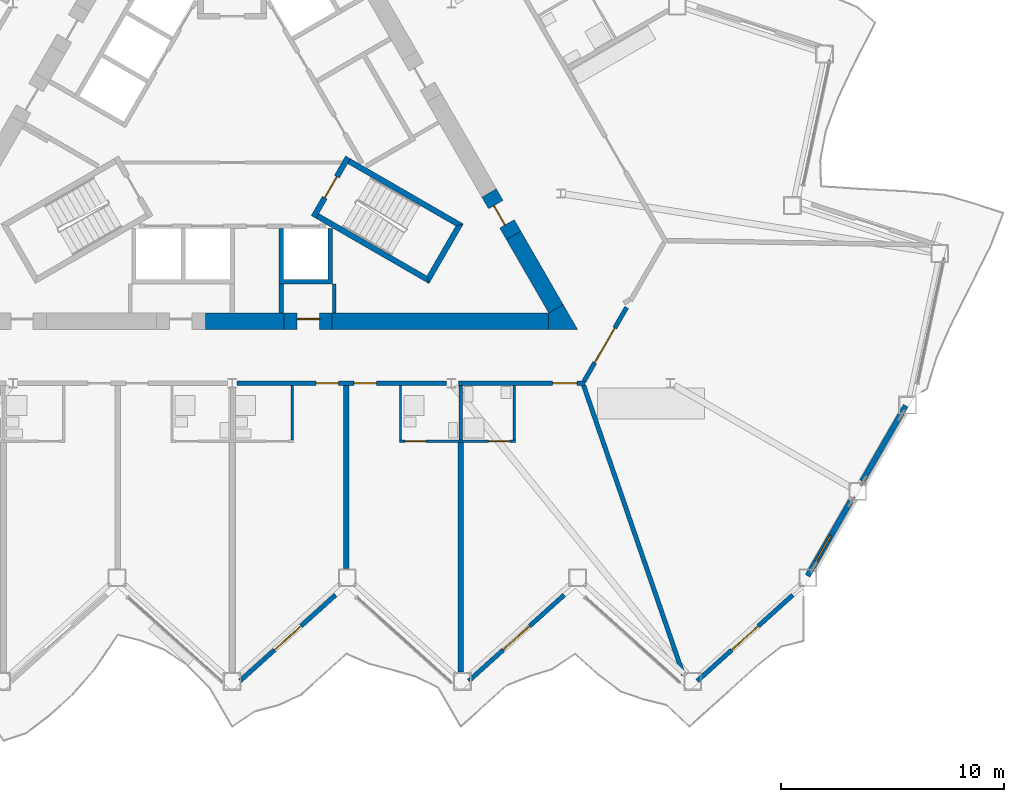
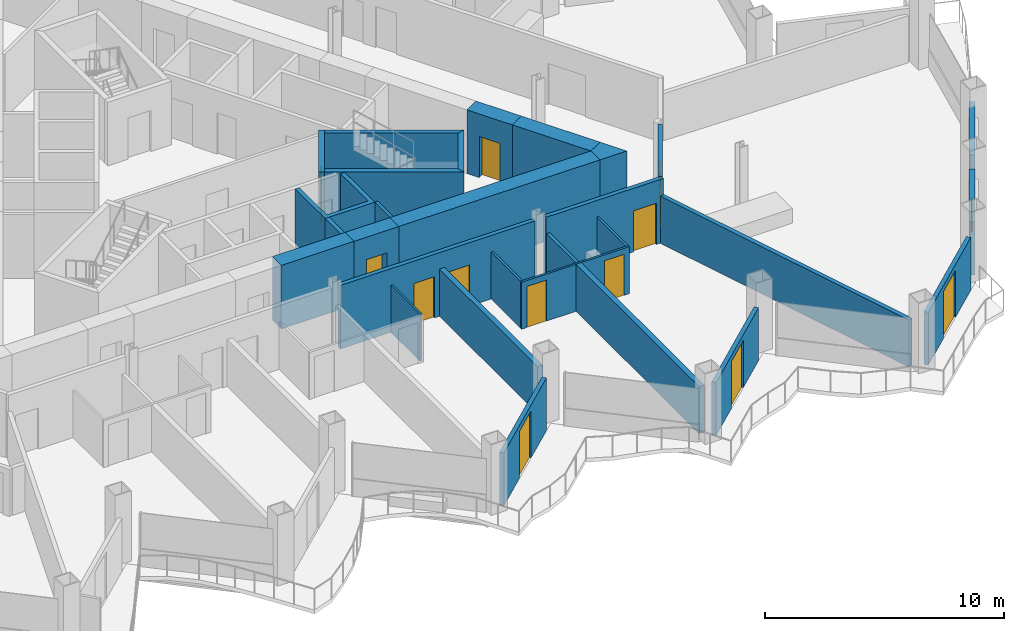
# One storey, part 12 of 23: 29 walls, 12 doors, 1 window, 13 openings.
"""IFC4 building model written with IfcOpenShell, lengths in metres."""

from ifc_helpers import new_model, si_unit, direction, frame, frame_2d, origin, place, context, subcontext, project, spatial, polyline, rectangle, outline, extrude, material, layer, layer_set, type_object, element, fill, save


model = new_model("IFC4")

# Units and contexts
model_context = context("Model", 3, precision=1e-05, world=origin(), true_north=direction((0.0, 1.0)))
body_context = subcontext(model_context, "Body", "Model", "MODEL_VIEW")
ifc_project = project(units=[si_unit("LENGTHUNIT", "METRE"), si_unit("AREAUNIT", "SQUARE_METRE"), si_unit("VOLUMEUNIT", "CUBIC_METRE"), si_unit("PLANEANGLEUNIT", "RADIAN"), si_unit("MASSUNIT", "GRAM", prefix="KILO")], contexts=[model_context])

# Site, building, storey
site_placement = place(None, origin())
site = spatial("IfcSite", under=ifc_project, at=site_placement, CompositionType="ELEMENT")
building_placement = place(site_placement, origin())
building = spatial("IfcBuilding", under=site, at=building_placement, Name="Cormorant Prow Tower", CompositionType="ELEMENT")
storey_placement = place(building_placement, frame((0.0, 0.0, 187.199951171875)))
storey = spatial("IfcBuildingStorey", under=building, at=storey_placement, Name="L40", CompositionType="ELEMENT", Elevation=187.199951171875)

# Walls
ifc_material_1 = material(Name="Gypsum board partition")
ifc_layer_1 = layer(ifc_material_1, 0.14990234375)
ifc_layer_set_1 = layer_set([ifc_layer_1], Name="Gypsum board partition")
wall_type_1 = type_object("IfcWallType", Name="Core partition 150", PredefinedType="PARTITIONING", material=ifc_layer_set_1)
wall_1_placement = place(storey_placement, frame((4.574951171875, -6.906005859375, 0.0), z_axis=(0.0, 0.0, 1.0), x_axis=(0.0, -1.0, 0.0)))
element("IfcWall", 1, at=wall_1_placement, inside=storey, type_object=wall_type_1, Name="Service room partition", PredefinedType="PARTITIONING", context=body_context, shape_type="SweptSolid", body=[
    extrude(rectangle(XDim=1.29296875, YDim=0.14990234375, at=frame_2d((0.646484375, 0.0))), origin(), (0.0, 0.0, 1.0), 3.25),
])
ifc_material_2 = material(Name="Concrete 8000 psi", Category="concrete")
ifc_layer_2 = layer(ifc_material_2, 0.75)
ifc_layer_set_2 = layer_set([ifc_layer_2], Name="Concrete 8000 psi")
wall_type_2 = type_object("IfcWallType", Name="Core shear wall 750", PredefinedType="SHEAR", material=ifc_layer_set_2)
wall_2_placement = place(storey_placement, frame((4.47998046875, -8.573974609375, 0.0), z_axis=(0.0, 0.0, 1.0), x_axis=(1.0, 0.0, 0.0)))
element("IfcWall", 2, at=wall_2_placement, inside=storey, type_object=wall_type_2, Name="Core wall", PredefinedType="SHEAR", context=body_context, shape_type="SweptSolid", body=[
    extrude(rectangle(XDim=9.720947265625, YDim=0.75, at=frame_2d((4.8603515625, 0.0))), origin(), (0.0, 0.0, 1.0), 3.25),
])
wall_3_placement = place(storey_placement, frame((-1.199951171875, -8.573974609375, 0.0), z_axis=(0.0, 0.0, 1.0), x_axis=(1.0, 0.0, 0.0)))
element("IfcWall", 3, at=wall_3_placement, inside=storey, type_object=wall_type_2, Name="Core wall", PredefinedType="SHEAR", context=body_context, shape_type="SweptSolid", body=[
    extrude(rectangle(XDim=3.52001953125, YDim=0.75, at=frame_2d((1.760009765625, 0.0))), origin(), (0.0, 0.0, 1.0), 3.25),
])
wall_4_placement = place(storey_placement, frame((14.525634765625, -8.011474609375, 0.0), z_axis=(0.0, 0.0, 1.0), x_axis=(-0.499996970966, 0.866027152591, 0.0)))
element("IfcWall", 4, at=wall_4_placement, inside=storey, type_object=wall_type_2, Name="Core wall", PredefinedType="SHEAR", context=body_context, shape_type="SweptSolid", body=[
    extrude(rectangle(XDim=3.7978515625, YDim=0.75, at=frame_2d((1.89892578125, 0.0))), origin(), (0.0, 0.0, 1.0), 3.25),
])
wall_5_placement = place(storey_placement, origin())
element("IfcWall", 5, at=wall_5_placement, inside=storey, type_object=wall_type_2, Name="Core wall corner", PredefinedType="SHEAR", context=body_context, shape_type="SweptSolid", body=[
    extrude(outline(polyline([(14.200927734375, -8.948974609375), (14.200927734375, -8.198974609375), (14.8505859375, -7.823974609375), (15.5, -8.948974609375), (14.200927734375, -8.948974609375)])), origin(), (0.0, 0.0, 1.0), 3.25),
])

# Wall, opening, door
wall_6_placement = place(storey_placement, frame((2.320068359375, -8.573974609375, 0.0), z_axis=(0.0, 0.0, 1.0), x_axis=(1.0, 0.0, 0.0)))
wall_6 = element("IfcWall", 6, at=wall_6_placement, inside=storey, type_object=wall_type_2, Name="Core wall door panel", PredefinedType="SHEAR", context=body_context, shape_type="SweptSolid", body=[
    extrude(rectangle(XDim=2.159912109375, YDim=0.75, at=frame_2d((1.080078125, 0.0))), origin(), (0.0, 0.0, 1.0), 3.25),
])
opening_1_placement = place(wall_6_placement, frame((0.60009765625, 0.0, 0.0)))
opening_1 = element("IfcOpeningElement", 7, at=opening_1_placement, cuts=wall_6, Name="Opening L40-C15", PredefinedType="OPENING", context=body_context, shape_type="SweptSolid", body=[
    extrude(rectangle(XDim=1.0, YDim=2.10009765625, at=frame_2d((0.5, 1.050048828125))), frame((0.0, 0.385009765625, 0.0), z_axis=(0.0, -1.0, 0.0), x_axis=(1.0, 0.0, 0.0)), (0.0, 0.0, 1.0), 0.77001953125),
])
ifc_material_3 = material(Name="Painted steel", Category="steel")
door_type_1 = type_object("IfcDoorType", Name="Service door 1000x2100", OperationType="NOTDEFINED", PredefinedType="DOOR", material=ifc_material_3)
door_1_placement = place(opening_1_placement, origin())
door_1 = element("IfcDoor", 8, at=door_1_placement, inside=storey, type_object=door_type_1, Name="Core door, Electrical room", OperationType="SINGLE_SWING_RIGHT", OverallHeight=2.10009765625, OverallWidth=1.0, PredefinedType="DOOR", context=body_context, shape_type="SweptSolid", body=[
    extrude(rectangle(XDim=1.0, YDim=2.10009765625, at=frame_2d((0.5, 1.050048828125))), frame((0.0, 0.1298828125, 0.0), z_axis=(0.0, -1.0, 0.0), x_axis=(1.0, 0.0, 0.0)), (0.0, 0.0, 1.0), 0.050048828125),
])
fill(opening_1, door_1)

wall_7_placement = place(storey_placement, frame((12.626708984375, -4.722412109375, 0.0), z_axis=(0.0, 0.0, 1.0), x_axis=(-0.499946605688, 0.86605622881, 0.0)))
wall_7 = element("IfcWall", 9, at=wall_7_placement, inside=storey, type_object=wall_type_2, Name="Core wall door panel", PredefinedType="SHEAR", context=body_context, shape_type="SweptSolid", body=[
    extrude(rectangle(XDim=2.199951171875, YDim=0.75, at=frame_2d((1.10009765625, 0.0))), origin(), (0.0, 0.0, 1.0), 3.25),
])
opening_2_placement = place(wall_7_placement, frame((0.60009765625, 0.0, 0.0)))
opening_2 = element("IfcOpeningElement", 10, at=opening_2_placement, cuts=wall_7, Name="Opening L40-C17", PredefinedType="OPENING", context=body_context, shape_type="SweptSolid", body=[
    extrude(rectangle(XDim=1.0, YDim=2.10009765625, at=frame_2d((0.5, 1.050048828125))), frame((0.0, 0.385009765625, 0.0), z_axis=(0.0, -1.0, 0.0), x_axis=(1.0, 0.0, 0.0)), (0.0, 0.0, 1.0), 0.77001953125),
])
door_2_placement = place(opening_2_placement, origin())
door_2 = element("IfcDoor", 11, at=door_2_placement, inside=storey, type_object=door_type_1, Name="Core door, Refuse store", OperationType="SINGLE_SWING_RIGHT", OverallHeight=2.10009765625, OverallWidth=1.0, PredefinedType="DOOR", context=body_context, shape_type="SweptSolid", body=[
    extrude(rectangle(XDim=1.0, YDim=2.10009765625, at=frame_2d((0.5, 1.050048828125))), frame((0.0, 0.1298828125, 0.0), z_axis=(0.0, -1.0, 0.0), x_axis=(1.0, 0.0, 0.0)), (0.0, 0.0, 1.0), 0.050048828125),
])
fill(opening_2, door_2)

# Wall, openings, doors
ifc_material_4 = material(Name="Gypsum board corridor wall")
ifc_layer_3 = layer(ifc_material_4, 0.199951171875)
ifc_layer_set_3 = layer_set([ifc_layer_3], Name="Gypsum board corridor wall")
wall_type_3 = type_object("IfcWallType", Name="Corridor wall 200", PredefinedType="PARTITIONING", material=ifc_layer_set_3)
wall_8_placement = place(storey_placement, frame((0.213623046875, -11.348876953125, 0.0), z_axis=(0.0, 0.0, 1.0), x_axis=(1.0, 0.0, 0.0)))
wall_8 = element("IfcWall", 12, at=wall_8_placement, inside=storey, type_object=wall_type_3, Name="Corridor wall", PredefinedType="PARTITIONING", context=body_context, shape_type="SweptSolid", body=[
    extrude(rectangle(XDim=9.401123046875, YDim=0.199951171875, at=frame_2d((4.70068359375, 0.0))), origin(), (0.0, 0.0, 1.0), 3.25),
])
opening_3_placement = place(wall_8_placement, frame((3.550537109375, 0.0, 0.0)))
opening_3 = element("IfcOpeningElement", 13, at=opening_3_placement, cuts=wall_8, Name="Opening L40-F07", PredefinedType="OPENING", context=body_context, shape_type="SweptSolid", body=[
    extrude(rectangle(XDim=1.0, YDim=2.10009765625, at=frame_2d((0.5, 1.050048828125))), frame((0.0, 0.10986328125, 0.0), z_axis=(0.0, -1.0, 0.0), x_axis=(1.0, 0.0, 0.0)), (0.0, 0.0, 1.0), 0.219970703125),
])
opening_4_placement = place(wall_8_placement, frame((5.250732421875, 0.0, 0.0)))
opening_4 = element("IfcOpeningElement", 14, at=opening_4_placement, cuts=wall_8, Name="Opening L40-F09", PredefinedType="OPENING", context=body_context, shape_type="SweptSolid", body=[
    extrude(rectangle(XDim=1.0, YDim=2.10009765625, at=frame_2d((0.5, 1.050048828125))), frame((0.0, 0.10986328125, 0.0), z_axis=(0.0, -1.0, 0.0), x_axis=(1.0, 0.0, 0.0)), (0.0, 0.0, 1.0), 0.219970703125),
])
ifc_material_5 = material(Name="Timber door leaf", Category="wood")
door_type_2 = type_object("IfcDoorType", Name="Flat or room entrance door 1000x2100", OperationType="NOTDEFINED", PredefinedType="DOOR", material=ifc_material_5)
door_3_placement = place(opening_3_placement, origin())
door_3 = element("IfcDoor", 15, at=door_3_placement, inside=storey, type_object=door_type_2, Name="Guest room door", OperationType="SINGLE_SWING_RIGHT", OverallHeight=2.10009765625, OverallWidth=1.0, PredefinedType="DOOR", context=body_context, shape_type="SweptSolid", body=[
    extrude(rectangle(XDim=1.0, YDim=2.10009765625, at=frame_2d((0.5, 1.050048828125))), frame((0.0, 0.02490234375, 0.0), z_axis=(0.0, -1.0, 0.0), x_axis=(1.0, 0.0, 0.0)), (0.0, 0.0, 1.0), 0.050048828125),
])
fill(opening_3, door_3)
door_4_placement = place(opening_4_placement, origin())
door_4 = element("IfcDoor", 16, at=door_4_placement, inside=storey, type_object=door_type_2, Name="Guest room door", OperationType="SINGLE_SWING_LEFT", OverallHeight=2.10009765625, OverallWidth=1.0, PredefinedType="DOOR", context=body_context, shape_type="SweptSolid", body=[
    extrude(rectangle(XDim=1.0, YDim=2.10009765625, at=frame_2d((0.5, 1.050048828125))), frame((0.0, 0.02490234375, 0.0), z_axis=(0.0, -1.0, 0.0), x_axis=(1.0, 0.0, 0.0)), (0.0, 0.0, 1.0), 0.050048828125),
])
fill(opening_4, door_4)

# Wall, opening, door
wall_9_placement = place(storey_placement, frame((10.144287109375, -11.348876953125, 0.0), z_axis=(0.0, 0.0, 1.0), x_axis=(1.0, 0.0, 0.0)))
wall_9 = element("IfcWall", 17, at=wall_9_placement, inside=storey, type_object=wall_type_3, Name="Corridor wall", PredefinedType="PARTITIONING", context=body_context, shape_type="SweptSolid", body=[
    extrude(rectangle(XDim=5.6865234375, YDim=0.199951171875, at=frame_2d((2.84326171875, 0.0))), origin(), (0.0, 0.0, 1.0), 3.25),
])
opening_5_placement = place(wall_9_placement, frame((4.234619140625, 0.0, 0.0)))
opening_5 = element("IfcOpeningElement", 18, at=opening_5_placement, cuts=wall_9, Name="Opening L40-F11", PredefinedType="OPENING", context=body_context, shape_type="SweptSolid", body=[
    extrude(rectangle(XDim=1.10009765625, YDim=2.10009765625, at=frame_2d((0.550048828125, 1.050048828125))), frame((0.0, 0.10986328125, 0.0), z_axis=(0.0, -1.0, 0.0), x_axis=(1.0, 0.0, 0.0)), (0.0, 0.0, 1.0), 0.219970703125),
])
ifc_material_6 = material(Name="Timber door leaf", Category="wood")
door_type_3 = type_object("IfcDoorType", Name="Suite entrance door 1100x2100", OperationType="NOTDEFINED", PredefinedType="DOOR", material=ifc_material_6)
door_5_placement = place(opening_5_placement, origin())
door_5 = element("IfcDoor", 19, at=door_5_placement, inside=storey, type_object=door_type_3, Name="Junior suite door", OperationType="SINGLE_SWING_RIGHT", OverallHeight=2.10009765625, OverallWidth=1.10009765625, PredefinedType="DOOR", context=body_context, shape_type="SweptSolid", body=[
    extrude(rectangle(XDim=1.10009765625, YDim=2.10009765625, at=frame_2d((0.550048828125, 1.050048828125))), frame((0.0, 0.02490234375, 0.0), z_axis=(0.0, -1.0, 0.0), x_axis=(1.0, 0.0, 0.0)), (0.0, 0.0, 1.0), 0.050048828125),
])
fill(opening_5, door_5)

wall_10_placement = place(storey_placement, frame((15.781005859375, -11.26220703125, 0.0), z_axis=(0.0, 0.0, 1.0), x_axis=(0.499989446428, 0.866031496806, 0.0)))
wall_10 = element("IfcWall", 20, at=wall_10_placement, inside=storey, type_object=wall_type_3, Name="Corridor wall", PredefinedType="PARTITIONING", context=body_context, shape_type="SweptSolid", body=[
    extrude(rectangle(XDim=3.82568359375, YDim=0.199951171875, at=frame_2d((1.912841796875, 0.0))), origin(), (0.0, 0.0, 1.0), 3.25),
])
opening_6_placement = place(wall_10_placement, frame((0.962158203125, 0.0, 0.0)))
opening_6 = element("IfcOpeningElement", 21, at=opening_6_placement, cuts=wall_10, Name="Opening L40-F13", PredefinedType="OPENING", context=body_context, shape_type="SweptSolid", body=[
    extrude(rectangle(XDim=1.800048828125, YDim=2.10009765625, at=frame_2d((0.89990234375, 1.050048828125))), frame((0.0, 0.10986328125, 0.0), z_axis=(0.0, -1.0, 0.0), x_axis=(1.0, 0.0, 0.0)), (0.0, 0.0, 1.0), 0.219970703125),
])
ifc_material_7 = material(Name="Timber door leaf", Category="wood")
door_type_4 = type_object("IfcDoorType", Name="Double door 1800x2100", OperationType="DOUBLE_DOOR_SINGLE_SWING", PredefinedType="DOOR", material=ifc_material_7)
door_6_placement = place(opening_6_placement, origin())
door_6 = element("IfcDoor", 22, at=door_6_placement, inside=storey, type_object=door_type_4, Name="Co-working space door", OperationType="DOUBLE_DOOR_SINGLE_SWING", OverallHeight=2.10009765625, OverallWidth=1.800048828125, PredefinedType="DOOR", context=body_context, shape_type="SweptSolid", body=[
    extrude(rectangle(XDim=1.800048828125, YDim=2.10009765625, at=frame_2d((0.89990234375, 1.050048828125))), frame((0.0, 0.02490234375, 0.0), z_axis=(0.0, -1.0, 0.0), x_axis=(1.0, 0.0, 0.0)), (0.0, 0.0, 1.0), 0.050048828125),
])
fill(opening_6, door_6)

# Wall
ifc_material_8 = material(Name="Gypsum board demising wall")
ifc_layer_4 = layer(ifc_material_8, 0.199951171875)
ifc_layer_set_4 = layer_set([ifc_layer_4], Name="Gypsum board demising wall")
wall_type_4 = type_object("IfcWallType", Name="Demising wall 200", PredefinedType="PARTITIONING", material=ifc_layer_set_4)
wall_11_placement = place(storey_placement, frame((15.763427734375, -11.443603515625, 0.0), z_axis=(0.0, 0.0, 1.0), x_axis=(0.325902118519, -0.945403516571, 0.0)))
element("IfcWall", 23, at=wall_11_placement, inside=storey, type_object=wall_type_4, Name="Demising wall", PredefinedType="PARTITIONING", context=body_context, shape_type="SweptSolid", body=[
    extrude(rectangle(XDim=13.762939453125, YDim=0.199951171875, at=frame_2d((6.88134765625, 0.0))), origin(), (0.0, 0.0, 1.0), 2.404296875),
])

# Wall, openings, doors
ifc_material_9 = material(Name="Gypsum board partition")
ifc_layer_5 = layer(ifc_material_9, 0.10009765625)
ifc_layer_set_5 = layer_set([ifc_layer_5], Name="Gypsum board partition")
wall_type_5 = type_object("IfcWallType", Name="Internal partition 100", PredefinedType="PARTITIONING", material=ifc_layer_set_5)
wall_12_placement = place(storey_placement, frame((7.504150390625, -13.948974609375, 0.0), z_axis=(0.0, 0.0, 1.0), x_axis=(1.0, 0.0, 0.0)))
wall_12 = element("IfcWall", 24, at=wall_12_placement, inside=storey, type_object=wall_type_5, Name="Internal partition", PredefinedType="PARTITIONING", context=body_context, shape_type="SweptSolid", body=[
    extrude(rectangle(XDim=5.199951171875, YDim=0.10009765625, at=frame_2d((2.60009765625, 0.0))), origin(), (0.0, 0.0, 1.0), 2.404296875),
])
opening_7_placement = place(wall_12_placement, frame((0.25, 0.0, 0.0)))
opening_7 = element("IfcOpeningElement", 25, at=opening_7_placement, cuts=wall_12, Name="Opening L40-F10", PredefinedType="OPENING", context=body_context, shape_type="SweptSolid", body=[
    extrude(rectangle(XDim=0.949951171875, YDim=2.10009765625, at=frame_2d((0.47509765625, 1.050048828125))), frame((0.0, 0.06005859375, 0.0), z_axis=(0.0, -1.0, 0.0), x_axis=(1.0, 0.0, 0.0)), (0.0, 0.0, 1.0), 0.1201171875),
])
opening_8_placement = place(wall_12_placement, frame((4.0, 0.0, 0.0)))
opening_8 = element("IfcOpeningElement", 26, at=opening_8_placement, cuts=wall_12, Name="Opening L40-F12", PredefinedType="OPENING", context=body_context, shape_type="SweptSolid", body=[
    extrude(rectangle(XDim=0.949951171875, YDim=2.10009765625, at=frame_2d((0.47509765625, 1.050048828125))), frame((0.0, 0.06005859375, 0.0), z_axis=(0.0, -1.0, 0.0), x_axis=(1.0, 0.0, 0.0)), (0.0, 0.0, 1.0), 0.1201171875),
])
ifc_material_10 = material(Name="Timber door leaf", Category="wood")
door_type_5 = type_object("IfcDoorType", Name="Bathroom door 950x2100", OperationType="NOTDEFINED", PredefinedType="DOOR", material=ifc_material_10)
door_7_placement = place(opening_7_placement, origin())
door_7 = element("IfcDoor", 27, at=door_7_placement, inside=storey, type_object=door_type_5, Name="Guest room door", OperationType="SINGLE_SWING_LEFT", OverallHeight=2.10009765625, OverallWidth=0.949951171875, PredefinedType="DOOR", context=body_context, shape_type="SweptSolid", body=[
    extrude(rectangle(XDim=0.949951171875, YDim=2.10009765625, at=frame_2d((0.47509765625, 1.050048828125))), frame((0.0, 0.02490234375, 0.0), z_axis=(0.0, -1.0, 0.0), x_axis=(1.0, 0.0, 0.0)), (0.0, 0.0, 1.0), 0.050048828125),
])
fill(opening_7, door_7)
door_8_placement = place(opening_8_placement, origin())
door_8 = element("IfcDoor", 28, at=door_8_placement, inside=storey, type_object=door_type_5, Name="Junior suite door", OperationType="SINGLE_SWING_RIGHT", OverallHeight=2.10009765625, OverallWidth=0.949951171875, PredefinedType="DOOR", context=body_context, shape_type="SweptSolid", body=[
    extrude(rectangle(XDim=0.949951171875, YDim=2.10009765625, at=frame_2d((0.47509765625, 1.050048828125))), frame((0.0, 0.02490234375, 0.0), z_axis=(0.0, -1.0, 0.0), x_axis=(1.0, 0.0, 0.0)), (0.0, 0.0, 1.0), 0.050048828125),
])
fill(opening_8, door_8)

# Walls
for number, where, z_axis, x_axis, name in (
    (29, (2.699951171875, -13.89892578125, 0.0), (0.0, 0.0, 1.0), (0.0, 1.0, 0.0), "Internal partition"),
    (30, (7.55419921875, -13.89892578125, 0.0), (0.0, 0.0, 1.0), (0.0, 1.0, 0.0), "Internal partition"),
    (31, (12.654296875, -13.89892578125, 0.0), (0.0, 0.0, 1.0), (0.0, 1.0, 0.0), "Internal partition"),
):
    element("IfcWall", number, at=place(storey_placement, frame(where, z_axis=z_axis, x_axis=x_axis)), inside=storey, type_object=wall_type_5, Name=name, PredefinedType="PARTITIONING", context=body_context, shape_type="SweptSolid", body=[
        extrude(rectangle(XDim=2.449951171875, YDim=0.10009765625, at=frame_2d((1.22509765625, 0.0))), origin(), (0.0, 0.0, 1.0), 2.404296875),
    ])
ifc_material_11 = material(Name="Concrete 8000 psi", Category="concrete")
ifc_layer_6 = layer(ifc_material_11, 0.199951171875)
ifc_layer_set_6 = layer_set([ifc_layer_6], Name="Concrete 8000 psi")
wall_type_6 = type_object("IfcWallType", Name="Lift shaft wall 200", PredefinedType="SHEAR", material=ifc_layer_set_6)
wall_13_placement = place(storey_placement, origin())
element("IfcWall", 32, at=wall_13_placement, inside=storey, type_object=wall_type_6, Name="Lift shaft walls, S block", PredefinedType="SHEAR", context=body_context, shape_type="SweptSolid", body=[
    extrude(outline(polyline([(4.5, -4.39990234375), (4.5, -6.906005859375), (2.10009765625, -6.906005859375), (2.10009765625, -4.39990234375), (2.300048828125, -4.39990234375), (2.300048828125, -6.699951171875), (4.300048828125, -6.699951171875), (4.300048828125, -4.39990234375), (4.5, -4.39990234375)])), origin(), (0.0, 0.0, 1.0), 3.25),
])
wall_14_placement = place(storey_placement, frame((2.199951171875, -6.906005859375, 0.0), z_axis=(0.0, 0.0, 1.0), x_axis=(0.0, -1.0, 0.0)))
element("IfcWall", 33, at=wall_14_placement, inside=storey, type_object=wall_type_6, Name="Store side wall", PredefinedType="SHEAR", context=body_context, shape_type="SweptSolid", body=[
    extrude(rectangle(XDim=1.29296875, YDim=0.199951171875, at=frame_2d((0.646484375, 0.0))), origin(), (0.0, 0.0, 1.0), 3.25),
])
ifc_material_12 = material(Name="Concrete 8000 psi", Category="concrete")
ifc_layer_7 = layer(ifc_material_12, 0.25)
ifc_layer_set_7 = layer_set([ifc_layer_7], Name="Concrete 8000 psi")
wall_type_7 = type_object("IfcWallType", Name="Stair wall 250", PredefinedType="SHEAR", material=ifc_layer_set_7)
wall_15_placement = place(storey_placement, origin())
element("IfcWall", 34, at=wall_15_placement, inside=storey, type_object=wall_type_7, Name="Stair ST2 enclosure wall (flank)", PredefinedType="SHEAR", context=body_context, shape_type="SweptSolid", body=[
    extrude(outline(polyline([(3.76318359375, -3.95556640625), (8.82958984375, -6.880615234375), (8.738037109375, -6.5390625), (3.88818359375, -3.739013671875), (3.76318359375, -3.95556640625)])), origin(), (0.0, 0.0, 1.0), 3.25),
])
wall_16_placement = place(storey_placement, origin())
element("IfcWall", 35, at=wall_16_placement, inside=storey, type_object=wall_type_7, Name="Stair ST2 enclosure wall (end)", PredefinedType="SHEAR", context=body_context, shape_type="SweptSolid", body=[
    extrude(outline(polyline([(8.82958984375, -6.880615234375), (10.37353515625, -4.206298828125), (10.031982421875, -4.2978515625), (8.738037109375, -6.5390625), (8.82958984375, -6.880615234375)])), origin(), (0.0, 0.0, 1.0), 3.25),
])
wall_17_placement = place(storey_placement, origin())
element("IfcWall", 36, at=wall_17_placement, inside=storey, type_object=wall_type_7, Name="Stair ST2 enclosure wall (flank)", PredefinedType="SHEAR", context=body_context, shape_type="SweptSolid", body=[
    extrude(outline(polyline([(10.031982421875, -4.2978515625), (10.37353515625, -4.206298828125), (5.30712890625, -1.28125), (5.18212890625, -1.497802734375), (10.031982421875, -4.2978515625)])), origin(), (0.0, 0.0, 1.0), 3.25),
])

# Wall, opening, door
wall_18_placement = place(storey_placement, frame((3.655029296875, -3.89306640625, 0.0), z_axis=(0.0, 0.0, 1.0), x_axis=(0.499982516597, 0.866035497597, 0.0)))
wall_18 = element("IfcWall", 37, at=wall_18_placement, inside=storey, type_object=wall_type_7, Name="Stair ST2 door wall", PredefinedType="SHEAR", context=body_context, shape_type="SweptSolid", body=[
    extrude(rectangle(XDim=3.087890625, YDim=0.25, at=frame_2d((1.5439453125, 0.0))), origin(), (0.0, 0.0, 1.0), 3.25),
])
opening_9_placement = place(wall_18_placement, frame((0.993896484375, 0.0, 0.0)))
opening_9 = element("IfcOpeningElement", 38, at=opening_9_placement, cuts=wall_18, Name="Opening L40-C12", PredefinedType="OPENING", context=body_context, shape_type="SweptSolid", body=[
    extrude(rectangle(XDim=1.10009765625, YDim=2.10009765625, at=frame_2d((0.550048828125, 1.050048828125))), frame((0.0, 0.135009765625, 0.0), z_axis=(0.0, -1.0, 0.0), x_axis=(1.0, 0.0, 0.0)), (0.0, 0.0, 1.0), 0.27001953125),
])
ifc_material_13 = material(Name="Painted steel", Category="steel")
door_type_6 = type_object("IfcDoorType", Name="Stair door 1100x2100", OperationType="NOTDEFINED", PredefinedType="DOOR", material=ifc_material_13)
door_9_placement = place(opening_9_placement, origin())
door_9 = element("IfcDoor", 39, at=door_9_placement, inside=storey, type_object=door_type_6, Name="Stair ST2 door", OperationType="SINGLE_SWING_RIGHT", OverallHeight=2.10009765625, OverallWidth=1.10009765625, PredefinedType="DOOR", context=body_context, shape_type="SweptSolid", body=[
    extrude(rectangle(XDim=1.10009765625, YDim=2.10009765625, at=frame_2d((0.550048828125, 1.050048828125))), frame((0.0, 0.02490234375, 0.0), z_axis=(0.0, -1.0, 0.0), x_axis=(1.0, 0.0, 0.0)), (0.0, 0.0, 1.0), 0.050048828125),
])
fill(opening_9, door_9)

# Walls
ifc_material_14 = material(Name="Acoustic gypsum party wall")
ifc_layer_8 = layer(ifc_material_14, 0.25)
ifc_layer_set_8 = layer_set([ifc_layer_8], Name="Acoustic gypsum party wall")
wall_type_8 = type_object("IfcWallType", Name="Suite party wall 250", PredefinedType="PARTITIONING", material=ifc_layer_set_8)
wall_19_placement = place(storey_placement, frame((10.254150390625, -24.3115234375, 0.0), z_axis=(0.0, 0.0, 1.0), x_axis=(0.0, 1.0, 0.0)))
element("IfcWall", 40, at=wall_19_placement, inside=storey, type_object=wall_type_8, Name="Suite party wall", PredefinedType="PARTITIONING", context=body_context, shape_type="SweptSolid", body=[
    extrude(rectangle(XDim=10.312744140625, YDim=0.25, at=frame_2d((5.15625, 0.0))), origin(), (0.0, 0.0, 1.0), 2.404296875),
])
wall_20_placement = place(storey_placement, frame((5.127197265625, -19.661376953125, 0.0), z_axis=(0.0, 0.0, 1.0), x_axis=(0.0, 1.0, 0.0)))
element("IfcWall", 41, at=wall_20_placement, inside=storey, type_object=wall_type_8, Name="Suite party wall", PredefinedType="PARTITIONING", context=body_context, shape_type="SweptSolid", body=[
    extrude(rectangle(XDim=8.21240234375, YDim=0.25, at=frame_2d((4.106201171875, 0.0))), origin(), (0.0, 0.0, 1.0), 2.404296875),
])

# Wall, opening, window
ifc_material_15 = material(Name="Terracotta", Category="masonry")
ifc_layer_9 = layer(ifc_material_15, 0.25)
ifc_layer_set_9 = layer_set([ifc_layer_9], Name="Terracotta")
wall_type_9 = type_object("IfcWallType", Name="Terracotta bay wall 250", PredefinedType="SOLIDWALL", material=ifc_layer_set_9)
wall_21_placement = place(storey_placement, frame((25.811279296875, -19.9873046875, 0.0), z_axis=(0.0, 0.0, 1.0), x_axis=(0.499981047344, 0.866036345829, 0.0)))
wall_21 = element("IfcWall", 42, at=wall_21_placement, inside=storey, type_object=wall_type_9, Name="Terracotta bay wall ESE00", PredefinedType="SOLIDWALL", context=body_context, shape_type="SweptSolid", body=[
    extrude(rectangle(XDim=3.868408203125, YDim=0.25, at=frame_2d((1.93408203125, 0.0))), origin(), (0.0, 0.0, 1.0), 2.700927734375),
])
opening_10_placement = place(wall_21_placement, frame((0.699951171875, 0.0, 1.699951171875)))
opening_10 = element("IfcOpeningElement", 43, at=opening_10_placement, cuts=wall_21, Name="Opening WN3", PredefinedType="OPENING", context=body_context, shape_type="SweptSolid", body=[
    extrude(rectangle(XDim=1.39990234375, YDim=0.800048828125, at=frame_2d((0.699951171875, 0.39990234375))), frame((0.0, 0.135009765625, 0.0), z_axis=(0.0, -1.0, 0.0), x_axis=(1.0, 0.0, 0.0)), (0.0, 0.0, 1.0), 0.27001953125),
])
ifc_material_16 = material(Name="Aluminium 6063-T6", Category="aluminium")
window_type = type_object("IfcWindowType", Name="Corner bay window 1400x800", PartitioningType="SINGLE_PANEL", PredefinedType="WINDOW", material=ifc_material_16)
window_placement = place(opening_10_placement, origin())
window = element("IfcWindow", 44, at=window_placement, inside=storey, type_object=window_type, Name="Corner bay window ESE00", OverallHeight=0.800048828125, OverallWidth=1.39990234375, PartitioningType="SINGLE_PANEL", PredefinedType="WINDOW", context=body_context, shape_type="SweptSolid", body=[
    extrude(rectangle(XDim=1.39990234375, YDim=0.800048828125, at=frame_2d((0.699951171875, 0.39990234375))), frame((0.0, 0.030029296875, 0.0), z_axis=(0.0, -1.0, 0.0), x_axis=(1.0, 0.0, 0.0)), (0.0, 0.0, 1.0), 0.06005859375),
])
fill(opening_10, window)

# Wall
wall_22_placement = place(storey_placement, frame((28.2578125, -15.749755859375, 0.0), z_axis=(0.0, 0.0, 1.0), x_axis=(0.499995984904, 0.866027721889, 0.0)))
element("IfcWall", 45, at=wall_22_placement, inside=storey, type_object=wall_type_9, Name="Terracotta bay wall ESE01", PredefinedType="SOLIDWALL", context=body_context, shape_type="SweptSolid", body=[
    extrude(rectangle(XDim=3.91455078125, YDim=0.25, at=frame_2d((1.957275390625, 0.0))), origin(), (0.0, 0.0, 1.0), 2.700927734375),
])

# Wall, opening, door
ifc_material_17 = material(Name="Terracotta", Category="masonry")
ifc_layer_10 = layer(ifc_material_17, 0.199951171875)
ifc_layer_set_10 = layer_set([ifc_layer_10], Name="Terracotta")
wall_type_10 = type_object("IfcWallType", Name="Terracotta jamb wall 200", PredefinedType="SOLIDWALL", material=ifc_layer_set_10)
wall_23_placement = place(storey_placement, frame((0.355224609375, -24.703857421875, 0.0), z_axis=(0.0, 0.0, 1.0), x_axis=(0.743140362926, 0.669135562491, 0.0)))
wall_23 = element("IfcWall", 46, at=wall_23_placement, inside=storey, type_object=wall_type_10, Name="Terracotta jamb wall S05", PredefinedType="SOLIDWALL", context=body_context, shape_type="SweptSolid", body=[
    extrude(rectangle(XDim=5.763427734375, YDim=0.199951171875, at=frame_2d((2.8818359375, 0.0))), origin(), (0.0, 0.0, 1.0), 2.700927734375),
])
opening_11_placement = place(wall_23_placement, frame((2.08154296875, 0.0, 0.0)))
opening_11 = element("IfcOpeningElement", 47, at=opening_11_placement, cuts=wall_23, Name="Opening ED40.03", PredefinedType="OPENING", context=body_context, shape_type="SweptSolid", body=[
    extrude(rectangle(XDim=1.60009765625, YDim=2.39990234375, at=frame_2d((0.800048828125, 1.199951171875))), frame((0.0, 0.10986328125, 0.0), z_axis=(0.0, -1.0, 0.0), x_axis=(1.0, 0.0, 0.0)), (0.0, 0.0, 1.0), 0.219970703125),
])
ifc_material_18 = material(Name="Aluminium 6063-T6", Category="aluminium")
door_type_7 = type_object("IfcDoorType", Name="Balcony door 1600x2400", OperationType="DOUBLE_DOOR_SINGLE_SWING", PredefinedType="DOOR", material=ifc_material_18)
door_10_placement = place(opening_11_placement, origin())
door_10 = element("IfcDoor", 48, at=door_10_placement, inside=storey, type_object=door_type_7, Name="Balcony door S05 ED40.03", OperationType="DOUBLE_DOOR_SINGLE_SWING", OverallHeight=2.39990234375, OverallWidth=1.60009765625, PredefinedType="DOOR", context=body_context, shape_type="SweptSolid", body=[
    extrude(rectangle(XDim=1.60009765625, YDim=2.39990234375, at=frame_2d((0.800048828125, 1.199951171875))), frame((0.0, 0.02490234375, 0.0), z_axis=(0.0, -1.0, 0.0), x_axis=(1.0, 0.0, 0.0)), (0.0, 0.0, 1.0), 0.050048828125),
])
fill(opening_11, door_10)

wall_24_placement = place(storey_placement, frame((10.609375, -24.703857421875, 0.0), z_axis=(0.0, 0.0, 1.0), x_axis=(0.743140362926, 0.669135562491, 0.0)))
wall_24 = element("IfcWall", 49, at=wall_24_placement, inside=storey, type_object=wall_type_10, Name="Terracotta jamb wall S07", PredefinedType="SOLIDWALL", context=body_context, shape_type="SweptSolid", body=[
    extrude(rectangle(XDim=5.763427734375, YDim=0.199951171875, at=frame_2d((2.8818359375, 0.0))), origin(), (0.0, 0.0, 1.0), 2.700927734375),
])
opening_12_placement = place(wall_24_placement, frame((2.08154296875, 0.0, 0.0)))
opening_12 = element("IfcOpeningElement", 50, at=opening_12_placement, cuts=wall_24, Name="Opening ED40.04", PredefinedType="OPENING", context=body_context, shape_type="SweptSolid", body=[
    extrude(rectangle(XDim=1.60009765625, YDim=2.39990234375, at=frame_2d((0.800048828125, 1.199951171875))), frame((0.0, 0.10986328125, 0.0), z_axis=(0.0, -1.0, 0.0), x_axis=(1.0, 0.0, 0.0)), (0.0, 0.0, 1.0), 0.219970703125),
])
door_11_placement = place(opening_12_placement, origin())
door_11 = element("IfcDoor", 51, at=door_11_placement, inside=storey, type_object=door_type_7, Name="Balcony door S07 ED40.04", OperationType="DOUBLE_DOOR_SINGLE_SWING", OverallHeight=2.39990234375, OverallWidth=1.60009765625, PredefinedType="DOOR", context=body_context, shape_type="SweptSolid", body=[
    extrude(rectangle(XDim=1.60009765625, YDim=2.39990234375, at=frame_2d((0.800048828125, 1.199951171875))), frame((0.0, 0.02490234375, 0.0), z_axis=(0.0, -1.0, 0.0), x_axis=(1.0, 0.0, 0.0)), (0.0, 0.0, 1.0), 0.050048828125),
])
fill(opening_12, door_11)

wall_25_placement = place(storey_placement, frame((20.863525390625, -24.703857421875, 0.0), z_axis=(0.0, 0.0, 1.0), x_axis=(0.743140362926, 0.669135562491, 0.0)))
wall_25 = element("IfcWall", 52, at=wall_25_placement, inside=storey, type_object=wall_type_10, Name="Terracotta jamb wall S09", PredefinedType="SOLIDWALL", context=body_context, shape_type="SweptSolid", body=[
    extrude(rectangle(XDim=5.763427734375, YDim=0.199951171875, at=frame_2d((2.8818359375, 0.0))), origin(), (0.0, 0.0, 1.0), 2.700927734375),
])
opening_13_placement = place(wall_25_placement, frame((2.08154296875, 0.0, 0.0)))
opening_13 = element("IfcOpeningElement", 53, at=opening_13_placement, cuts=wall_25, Name="Opening ED40.05", PredefinedType="OPENING", context=body_context, shape_type="SweptSolid", body=[
    extrude(rectangle(XDim=1.60009765625, YDim=2.39990234375, at=frame_2d((0.800048828125, 1.199951171875))), frame((0.0, 0.10986328125, 0.0), z_axis=(0.0, -1.0, 0.0), x_axis=(1.0, 0.0, 0.0)), (0.0, 0.0, 1.0), 0.219970703125),
])
door_12_placement = place(opening_13_placement, origin())
door_12 = element("IfcDoor", 54, at=door_12_placement, inside=storey, type_object=door_type_7, Name="Balcony door S09 ED40.05", OperationType="DOUBLE_DOOR_SINGLE_SWING", OverallHeight=2.39990234375, OverallWidth=1.60009765625, PredefinedType="DOOR", context=body_context, shape_type="SweptSolid", body=[
    extrude(rectangle(XDim=1.60009765625, YDim=2.39990234375, at=frame_2d((0.800048828125, 1.199951171875))), frame((0.0, 0.02490234375, 0.0), z_axis=(0.0, -1.0, 0.0), x_axis=(1.0, 0.0, 0.0)), (0.0, 0.0, 1.0), 0.050048828125),
])
fill(opening_13, door_12)

# Wall
ifc_material_19 = material(Name="Plasterboard wet wall with pipe chase")
ifc_layer_11 = layer(ifc_material_19, 0.14990234375)
ifc_layer_set_11 = layer_set([ifc_layer_11], Name="Plasterboard wet wall with pipe chase")
wall_type_11 = type_object("IfcWallType", Name="Wet wall 150", PredefinedType="PLUMBINGWALL", material=ifc_layer_set_11)
wall_26_placement = place(storey_placement, frame((10.254150390625, -13.89892578125, 0.0), z_axis=(0.0, 0.0, 1.0), x_axis=(0.0, 1.0, 0.0)))
element("IfcWall", 55, at=wall_26_placement, inside=storey, type_object=wall_type_11, Name="Wet wall", PredefinedType="PLUMBINGWALL", context=body_context, shape_type="SweptSolid", body=[
    extrude(rectangle(XDim=2.449951171875, YDim=0.14990234375, at=frame_2d((1.22509765625, 0.0))), origin(), (0.0, 0.0, 1.0), 2.404296875),
])

save(model, "model.ifc")
